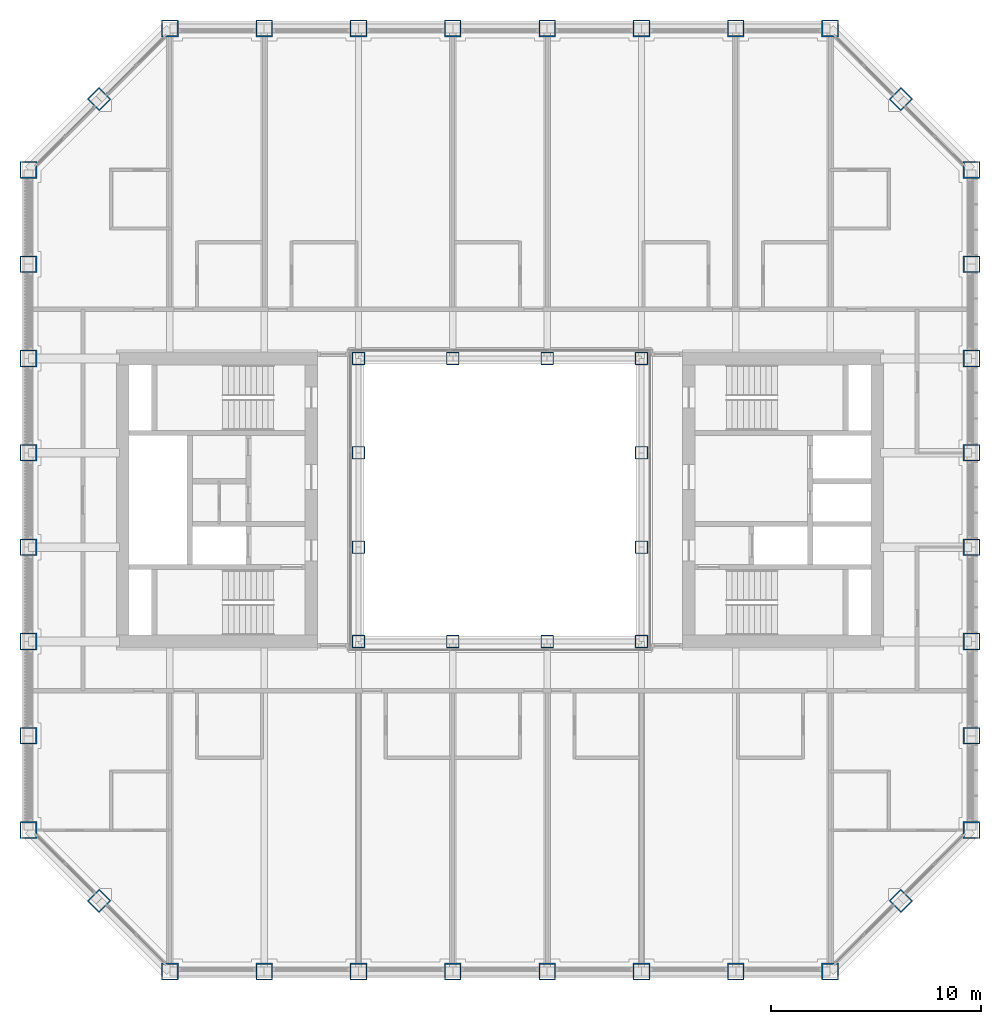
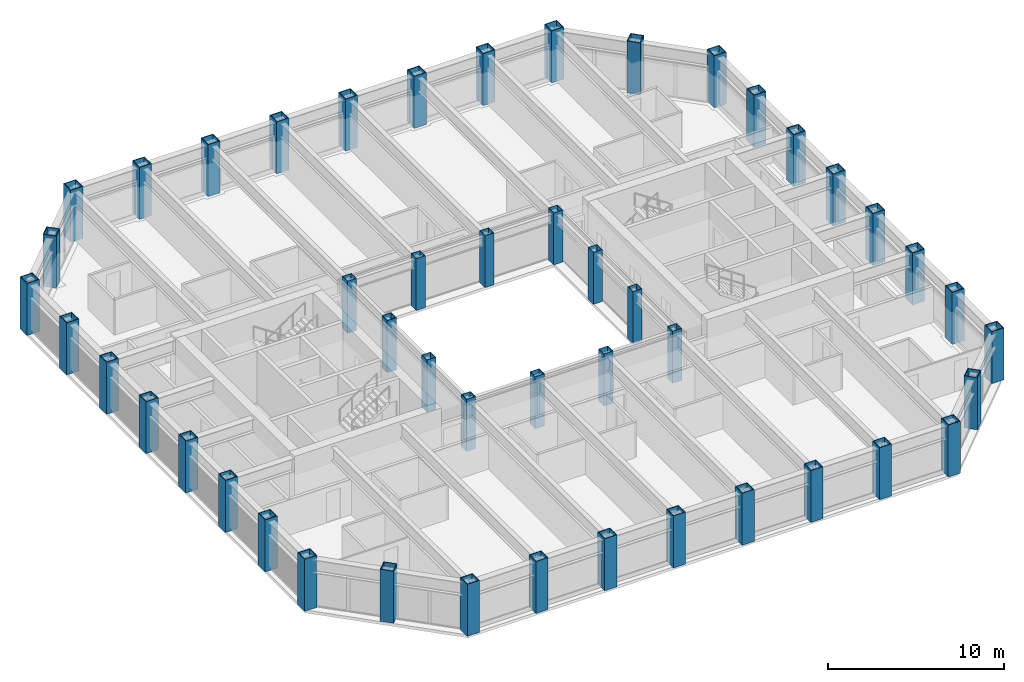
# One storey, part 1 of 17: 48 columns.
"""IFC4 building model written with IfcOpenShell, lengths in metres."""

from ifc_helpers import new_model, si_unit, direction, frame, origin, origin_2d, place, context, subcontext, project, spatial, hollow_rectangle, extrude, material, material_profile, profile_set, type_object, element, save


model = new_model("IFC4")

# Units and contexts
model_context = context("Model", 3, precision=1e-05, world=origin(), true_north=direction((0.0, 1.0)))
body_context = subcontext(model_context, "Body", "Model", "MODEL_VIEW")
ifc_project = project(units=[si_unit("LENGTHUNIT", "METRE"), si_unit("AREAUNIT", "SQUARE_METRE"), si_unit("VOLUMEUNIT", "CUBIC_METRE"), si_unit("PLANEANGLEUNIT", "RADIAN"), si_unit("MASSUNIT", "GRAM", prefix="KILO")], contexts=[model_context])

# Site, building, storey
site_placement = place(None, origin())
site = spatial("IfcSite", under=ifc_project, at=site_placement, CompositionType="ELEMENT")
building_placement = place(site_placement, origin())
building = spatial("IfcBuilding", under=site, at=building_placement, Name="Msasa Ring Tower", CompositionType="ELEMENT")
storey_placement = place(building_placement, frame((0.0, 0.0, 154.39990234375)))
storey = spatial("IfcBuildingStorey", under=building, at=storey_placement, Name="L40", CompositionType="ELEMENT", Elevation=154.39990234375)

# Columns
ifc_material_1 = material(Name="Steel S355", Category="steel")
ifc_material_profile_1 = material_profile(ifc_material_1, hollow_rectangle(XDim=0.60009765625, YDim=0.60009765625, WallThickness=0.030029296875, at=origin_2d()), Name="BOX 600x600x30")
ifc_profile_set_1 = profile_set([ifc_material_profile_1], Name="Steel S355")
column_type_1 = type_object("IfcColumnType", Name="IC5 BOX 600x600x30", PredefinedType="COLUMN", material=ifc_profile_set_1)
for number, where, z_axis, x_axis, name in (
    (1, (-6.75, -6.75, 0.0), (0.0, 0.0, 1.0), (1.0, 0.0, 0.0), "Inner ring column IR-6.75-6.75 L40"),
    (2, (-6.75, -2.25, 0.0), (0.0, 0.0, 1.0), (1.0, 0.0, 0.0), "Inner ring column IR-6.75-2.25 L40"),
    (3, (-6.75, 2.25, 0.0), (0.0, 0.0, 1.0), (1.0, 0.0, 0.0), "Inner ring column IR-6.75+2.25 L40"),
    (4, (-6.75, 6.75, 0.0), (0.0, 0.0, 1.0), (1.0, 0.0, 0.0), "Inner ring column IR-6.75+6.75 L40"),
    (5, (-2.25, -6.75, 0.0), (0.0, 0.0, 1.0), (1.0, 0.0, 0.0), "Inner ring column IR-2.25-6.75 L40"),
    (6, (-2.25, 6.75, 0.0), (0.0, 0.0, 1.0), (1.0, 0.0, 0.0), "Inner ring column IR-2.25+6.75 L40"),
    (7, (2.25, -6.75, 0.0), (0.0, 0.0, 1.0), (1.0, 0.0, 0.0), "Inner ring column IR+2.25-6.75 L40"),
    (8, (2.25, 6.75, 0.0), (0.0, 0.0, 1.0), (1.0, 0.0, 0.0), "Inner ring column IR+2.25+6.75 L40"),
    (9, (6.75, -6.75, 0.0), (0.0, 0.0, 1.0), (1.0, 0.0, 0.0), "Inner ring column IR+6.75-6.75 L40"),
    (10, (6.75, -2.25, 0.0), (0.0, 0.0, 1.0), (1.0, 0.0, 0.0), "Inner ring column IR+6.75-2.25 L40"),
    (11, (6.75, 2.25, 0.0), (0.0, 0.0, 1.0), (1.0, 0.0, 0.0), "Inner ring column IR+6.75+2.25 L40"),
    (12, (6.75, 6.75, 0.0), (0.0, 0.0, 1.0), (1.0, 0.0, 0.0), "Inner ring column IR+6.75+6.75 L40"),
):
    element("IfcColumn", number, at=place(storey_placement, frame(where, z_axis=z_axis, x_axis=x_axis)), inside=storey, type_object=column_type_1, Name=name, PredefinedType="COLUMN", context=body_context, shape_type="SweptSolid", body=[
        extrude(hollow_rectangle(XDim=0.60009765625, YDim=0.60009765625, WallThickness=0.030029296875, at=origin_2d()), origin(), (0.0, 0.0, 1.0), 3.60009765625),
    ])
ifc_material_2 = material(Name="Steel S355", Category="steel")
ifc_material_profile_2 = material_profile(ifc_material_2, hollow_rectangle(XDim=0.800048828125, YDim=0.800048828125, WallThickness=0.050048828125, at=origin_2d()), Name="BOX 800x800x50")
ifc_profile_set_2 = profile_set([ifc_material_profile_2], Name="Steel S355")
column_type_2 = type_object("IfcColumnType", Name="TC4 BOX 800x800x50", PredefinedType="COLUMN", material=ifc_profile_set_2)
for number, where, z_axis, x_axis, name in (
    (13, (-15.75, -22.5, 0.0), (0.0, 0.0, 1.0), (0.0, 1.0, 0.0), "Tube column S-15.75 L40"),
    (14, (-15.75, 22.5, 0.0), (0.0, 0.0, 1.0), (0.0, 1.0, 0.0), "Tube column N-15.75 L40"),
    (15, (22.5, -15.75, 0.0), (0.0, 0.0, 1.0), (1.0, 0.0, 0.0), "Tube column E-15.75 L40"),
    (16, (-22.5, -15.75, 0.0), (0.0, 0.0, 1.0), (1.0, 0.0, 0.0), "Tube column W-15.75 L40"),
    (17, (-11.25, -22.5, 0.0), (0.0, 0.0, 1.0), (0.0, 1.0, 0.0), "Tube column S-11.25 L40"),
    (18, (-11.25, 22.5, 0.0), (0.0, 0.0, 1.0), (0.0, 1.0, 0.0), "Tube column N-11.25 L40"),
    (19, (22.5, -11.25, 0.0), (0.0, 0.0, 1.0), (1.0, 0.0, 0.0), "Tube column E-11.25 L40"),
    (20, (-22.5, -11.25, 0.0), (0.0, 0.0, 1.0), (1.0, 0.0, 0.0), "Tube column W-11.25 L40"),
    (21, (-6.75, -22.5, 0.0), (0.0, 0.0, 1.0), (0.0, 1.0, 0.0), "Tube column S-6.75 L40"),
    (22, (-6.75, 22.5, 0.0), (0.0, 0.0, 1.0), (0.0, 1.0, 0.0), "Tube column N-6.75 L40"),
    (23, (22.5, -6.75, 0.0), (0.0, 0.0, 1.0), (1.0, 0.0, 0.0), "Tube column E-6.75 L40"),
    (24, (-22.5, -6.75, 0.0), (0.0, 0.0, 1.0), (1.0, 0.0, 0.0), "Tube column W-6.75 L40"),
    (25, (-2.25, -22.5, 0.0), (0.0, 0.0, 1.0), (0.0, 1.0, 0.0), "Tube column S-2.25 L40"),
    (26, (-2.25, 22.5, 0.0), (0.0, 0.0, 1.0), (0.0, 1.0, 0.0), "Tube column N-2.25 L40"),
    (27, (22.5, -2.25, 0.0), (0.0, 0.0, 1.0), (1.0, 0.0, 0.0), "Tube column E-2.25 L40"),
    (28, (-22.5, -2.25, 0.0), (0.0, 0.0, 1.0), (1.0, 0.0, 0.0), "Tube column W-2.25 L40"),
    (29, (2.25, -22.5, 0.0), (0.0, 0.0, 1.0), (0.0, 1.0, 0.0), "Tube column S+2.25 L40"),
    (30, (2.25, 22.5, 0.0), (0.0, 0.0, 1.0), (0.0, 1.0, 0.0), "Tube column N+2.25 L40"),
    (31, (22.5, 2.25, 0.0), (0.0, 0.0, 1.0), (1.0, 0.0, 0.0), "Tube column E+2.25 L40"),
    (32, (-22.5, 2.25, 0.0), (0.0, 0.0, 1.0), (1.0, 0.0, 0.0), "Tube column W+2.25 L40"),
    (33, (6.75, -22.5, 0.0), (0.0, 0.0, 1.0), (0.0, 1.0, 0.0), "Tube column S+6.75 L40"),
    (34, (6.75, 22.5, 0.0), (0.0, 0.0, 1.0), (0.0, 1.0, 0.0), "Tube column N+6.75 L40"),
    (35, (22.5, 6.75, 0.0), (0.0, 0.0, 1.0), (1.0, 0.0, 0.0), "Tube column E+6.75 L40"),
    (36, (-22.5, 6.75, 0.0), (0.0, 0.0, 1.0), (1.0, 0.0, 0.0), "Tube column W+6.75 L40"),
    (37, (11.25, -22.5, 0.0), (0.0, 0.0, 1.0), (0.0, 1.0, 0.0), "Tube column S+11.25 L40"),
    (38, (11.25, 22.5, 0.0), (0.0, 0.0, 1.0), (0.0, 1.0, 0.0), "Tube column N+11.25 L40"),
    (39, (22.5, 11.25, 0.0), (0.0, 0.0, 1.0), (1.0, 0.0, 0.0), "Tube column E+11.25 L40"),
    (40, (-22.5, 11.25, 0.0), (0.0, 0.0, 1.0), (1.0, 0.0, 0.0), "Tube column W+11.25 L40"),
    (41, (15.75, -22.5, 0.0), (0.0, 0.0, 1.0), (0.0, 1.0, 0.0), "Tube column S+15.75 L40"),
    (42, (15.75, 22.5, 0.0), (0.0, 0.0, 1.0), (0.0, 1.0, 0.0), "Tube column N+15.75 L40"),
    (43, (22.5, 15.75, 0.0), (0.0, 0.0, 1.0), (1.0, 0.0, 0.0), "Tube column E+15.75 L40"),
    (44, (-22.5, 15.75, 0.0), (0.0, 0.0, 1.0), (1.0, 0.0, 0.0), "Tube column W+15.75 L40"),
    (45, (19.125, -19.125, 0.0), (0.0, 0.0, 1.0), (0.707106781187, -0.707106781187, 0.0), "Tube column SE L40"),
    (46, (19.125, 19.125, 0.0), (0.0, 0.0, 1.0), (0.707106781187, 0.707106781187, 0.0), "Tube column NE L40"),
    (47, (-19.125, 19.125, 0.0), (0.0, 0.0, 1.0), (0.707106781187, -0.707106781187, 0.0), "Tube column NW L40"),
    (48, (-19.125, -19.125, 0.0), (0.0, 0.0, 1.0), (0.707106781187, 0.707106781187, 0.0), "Tube column SW L40"),
):
    element("IfcColumn", number, at=place(storey_placement, frame(where, z_axis=z_axis, x_axis=x_axis)), inside=storey, type_object=column_type_2, Name=name, PredefinedType="COLUMN", context=body_context, shape_type="SweptSolid", body=[
        extrude(hollow_rectangle(XDim=0.800048828125, YDim=0.800048828125, WallThickness=0.050048828125, at=origin_2d()), origin(), (0.0, 0.0, 1.0), 3.60009765625),
    ])

save(model, "model.ifc")
